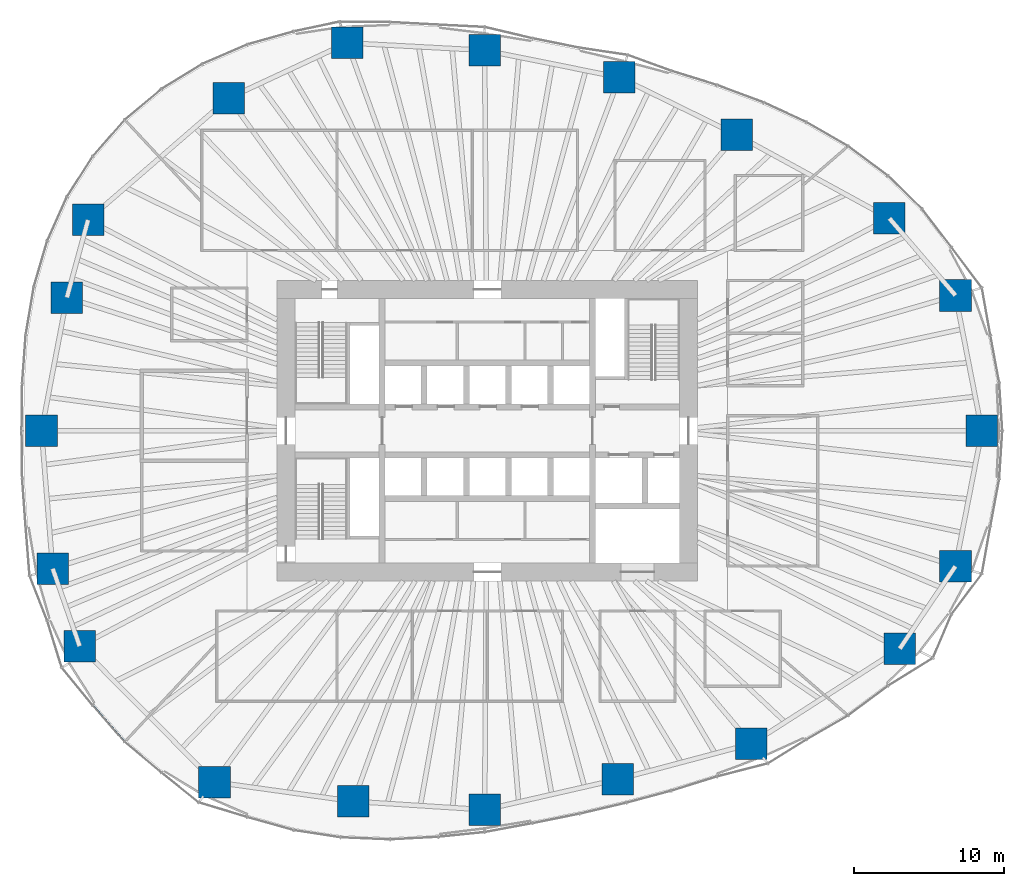
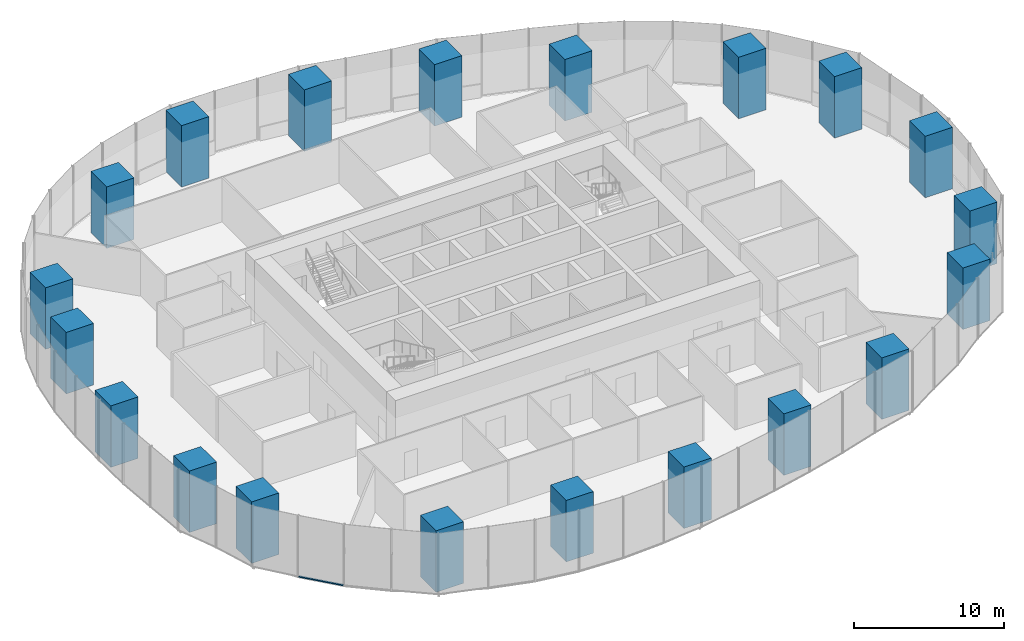
# One storey, part 1 of 20: 20 columns, 1 member, 1 element without a shape of its own.
"""IFC4 building model written with IfcOpenShell, lengths in metres."""

from ifc_helpers import new_model, si_unit, direction, frame, origin, origin_2d, place, context, subcontext, project, spatial, rectangle, extrude, material, material_profile, profile_set, type_object, element, aggregate, save


model = new_model("IFC4")

# Units and contexts
model_context = context("Model", 3, precision=1e-05, world=origin(), true_north=direction((0.0, 1.0)))
body_context = subcontext(model_context, "Body", "Model", "MODEL_VIEW")
ifc_project = project(units=[si_unit("LENGTHUNIT", "METRE"), si_unit("AREAUNIT", "SQUARE_METRE"), si_unit("VOLUMEUNIT", "CUBIC_METRE"), si_unit("PLANEANGLEUNIT", "RADIAN"), si_unit("MASSUNIT", "GRAM", prefix="KILO")], contexts=[model_context])

# Site, building, storey
site_placement = place(None, origin())
site = spatial("IfcSite", under=ifc_project, at=site_placement, CompositionType="ELEMENT")
building_placement = place(site_placement, origin())
building = spatial("IfcBuilding", under=site, at=building_placement, Name="Ghaith Harvest Tower", CompositionType="ELEMENT")
storey_placement = place(building_placement, frame((0.0, 0.0, 20.0)))
storey = spatial("IfcBuildingStorey", under=building, at=storey_placement, Name="L04", CompositionType="ELEMENT", Elevation=20.0)

# Columns
ifc_material_1 = material(Name="Concrete C70/85", Category="concrete")
ifc_material_profile_1 = material_profile(ifc_material_1, rectangle(XDim=2.10009765625, YDim=2.10009765625, at=origin_2d()), Name="RC2100X2100")
ifc_profile_set_1 = profile_set([ifc_material_profile_1], Name="Concrete C70/85")
column_type = type_object("IfcColumnType", Name="TC1 RC2100X2100", PredefinedType="COLUMN", material=ifc_profile_set_1)
for number, where, z_axis, x_axis, name in (
    (1, (32.925048828125, 0.0, 0.0), (0.0, 0.0, 1.0), (1.0, 0.0, 0.0), "Perimeter column C01"),
    (2, (31.166015625, 9.008056640625, 0.0), (0.0, 0.0, 1.0), (1.0, 0.0, 0.0), "Perimeter column C02"),
    (3, (26.763916015625, 14.14697265625, 0.0), (0.0, 0.0, 1.0), (1.0, 0.0, 0.0), "Perimeter column C03"),
    (4, (16.60791015625, 19.695068359375, 0.0), (0.0, 0.0, 1.0), (1.0, 0.0, 0.0), "Perimeter column C04"),
    (5, (8.794921875, 23.527099609375, 0.0), (0.0, 0.0, 1.0), (1.0, 0.0, 0.0), "Perimeter column C05"),
    (6, (-0.173095703125, 25.326904296875, 0.0), (0.0, 0.0, 1.0), (1.0, 0.0, 0.0), "Perimeter column C06"),
    (7, (-9.325927734375, 25.821044921875, 0.0), (0.0, 0.0, 1.0), (1.0, 0.0, 0.0), "Perimeter column C07"),
    (8, (-17.201904296875, 22.14990234375, 0.0), (0.0, 0.0, 1.0), (1.0, 0.0, 0.0), "Perimeter column C08"),
    (9, (-26.572998046875, 14.0458984375, 0.0), (0.0, 0.0, 1.0), (1.0, 0.0, 0.0), "Perimeter column C09"),
    (10, (-27.98291015625, 8.867919921875, 0.0), (0.0, 0.0, 1.0), (1.0, 0.0, 0.0), "Perimeter column C10"),
    (11, (-29.675048828125, 0.0, 0.0), (0.0, 0.0, 1.0), (1.0, 0.0, 0.0), "Perimeter column C11"),
    (12, (-28.929931640625, -9.16796875, 0.0), (0.0, 0.0, 1.0), (1.0, 0.0, 0.0), "Perimeter column C12"),
    (13, (-27.132080078125, -14.341064453125, 0.0), (0.0, 0.0, 1.0), (1.0, 0.0, 0.0), "Perimeter column C13"),
    (14, (-18.157958984375, -23.3798828125, 0.0), (0.0, 0.0, 1.0), (1.0, 0.0, 0.0), "Perimeter column C14"),
    (15, (-8.908935546875, -24.66796875, 0.0), (0.0, 0.0, 1.0), (1.0, 0.0, 0.0), "Perimeter column C15"),
    (16, (-0.173095703125, -25.22412109375, 0.0), (0.0, 0.0, 1.0), (1.0, 0.0, 0.0), "Perimeter column C16"),
    (17, (8.674072265625, -23.202880859375, 0.0), (0.0, 0.0, 1.0), (1.0, 0.0, 0.0), "Perimeter column C17"),
    (18, (17.572021484375, -20.8369140625, 0.0), (0.0, 0.0, 1.0), (1.0, 0.0, 0.0), "Perimeter column C18"),
    (19, (27.448974609375, -14.509033203125, 0.0), (0.0, 0.0, 1.0), (1.0, 0.0, 0.0), "Perimeter column C19"),
    (20, (31.166015625, -9.008056640625, 0.0), (0.0, 0.0, 1.0), (1.0, 0.0, 0.0), "Perimeter column C20"),
):
    element("IfcColumn", number, at=place(storey_placement, frame(where, z_axis=z_axis, x_axis=x_axis)), inside=storey, type_object=column_type, Name=name, PredefinedType="COLUMN", context=body_context, shape_type="SweptSolid", body=[
        extrude(rectangle(XDim=2.10009765625, YDim=2.10009765625, at=origin_2d()), origin(), (0.0, 0.0, 1.0), 5.0),
    ])

# Curtain wall, member
ifc_material_2 = material(Name="Black anodised aluminium and fritted glass", Category="aluminium")
curtain_wall_type = type_object("IfcCurtainWallType", Name="CW-F CURTAIN WALL", PredefinedType="NOTDEFINED", material=ifc_material_2)
curtain_wall_placement = place(storey_placement, origin())
curtain_wall = element("IfcCurtainWall", 21, at=curtain_wall_placement, inside=storey, type_object=curtain_wall_type, Name="Curtain wall CW-F bay 13 L04", PredefinedType="NOTDEFINED")
ifc_material_3 = material(Name="Aluminium, black anodised", Category="aluminium")
ifc_material_profile_2 = material_profile(ifc_material_3, rectangle(XDim=0.139892578125, YDim=0.080078125, at=origin_2d()), Name="CW-F TRANSOM 140x80")
ifc_profile_set_2 = profile_set([ifc_material_profile_2], Name="Aluminium, black anodised")
member_type = type_object("IfcMemberType", Name="CW-F TRANSOM 140x80", PredefinedType="USERDEFINED", material=ifc_profile_set_2)
member_placement = place(storey_placement, frame((-26.23681640625, -18.30419921875, 0.0400390625), z_axis=(0.65923052982, -0.751940894322, 0.0), x_axis=(0.751940894322, 0.65923052982, 0.0)))
member = element("IfcMember", 22, at=member_placement, type_object=member_type, Name="CW-F transom 1 bay 13 L04", ObjectType="TRANSOM", PredefinedType="USERDEFINED", context=body_context, shape_type="SweptSolid", body=[
    extrude(rectangle(XDim=0.139892578125, YDim=0.080078125, at=origin_2d()), origin(), (0.0, 0.0, 1.0), 3.1416015625),
])
aggregate(curtain_wall, [member])

save(model, "model.ifc")
